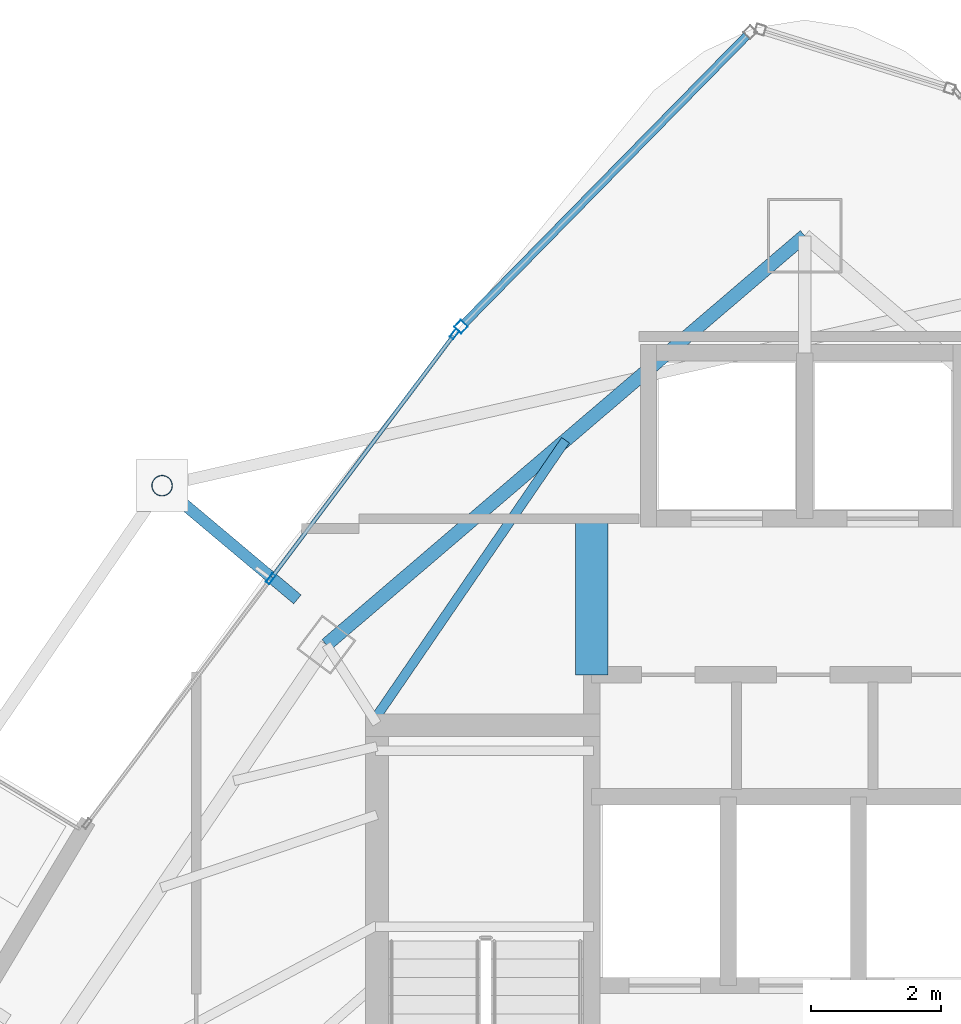
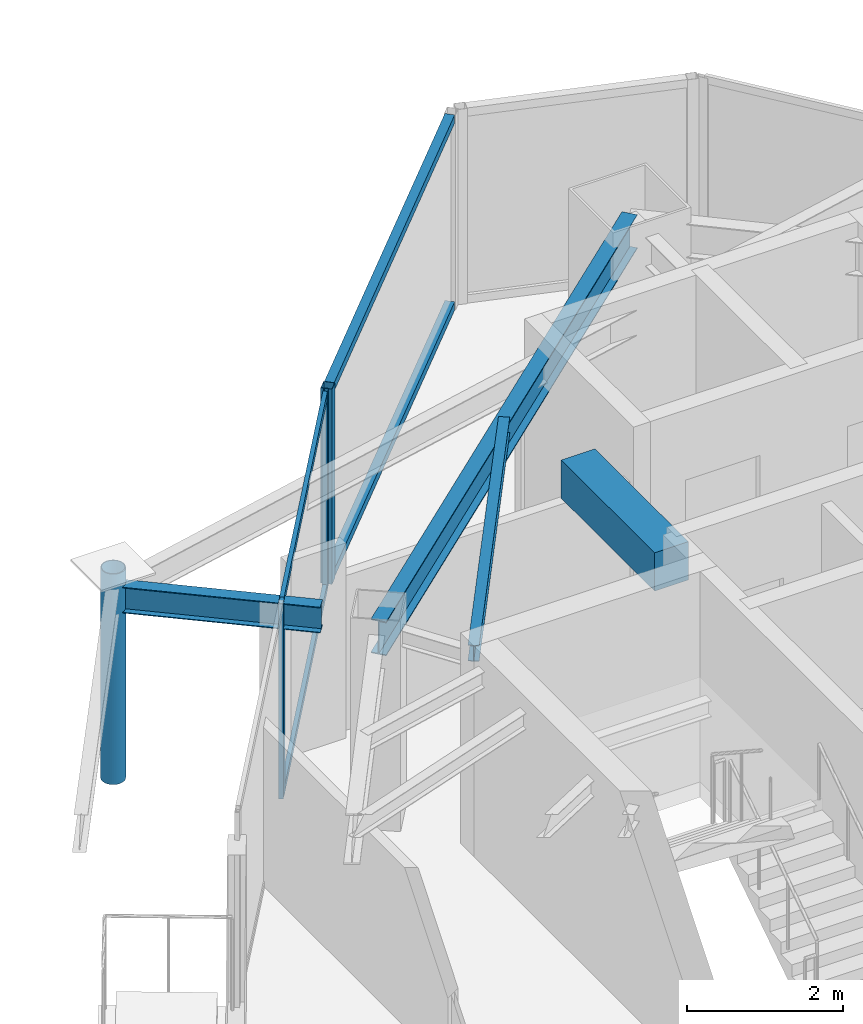
# One storey, part 20 of 28: 8 members, 4 beams, 2 elements without a shape of their own.
"""IFC4 building model written with IfcOpenShell, lengths in metres."""

from ifc_helpers import new_model, si_unit, direction, frame, origin, origin_2d, place, context, subcontext, project, spatial, rectangle, hollow_rectangle, hollow_circle, i_section, extrude, material, layer, layer_set, material_profile, profile_set, type_object, element, aggregate, save


model = new_model("IFC4")

# Units and contexts
model_context = context("Model", 3, precision=1e-05, world=origin(), true_north=direction((0.0, 1.0)))
body_context = subcontext(model_context, "Body", "Model", "MODEL_VIEW")
ifc_project = project(units=[si_unit("LENGTHUNIT", "METRE"), si_unit("AREAUNIT", "SQUARE_METRE"), si_unit("VOLUMEUNIT", "CUBIC_METRE"), si_unit("PLANEANGLEUNIT", "RADIAN"), si_unit("MASSUNIT", "GRAM", prefix="KILO")], contexts=[model_context])

# Site, building, storey
site_placement = place(None, origin())
site = spatial("IfcSite", under=ifc_project, at=site_placement, CompositionType="ELEMENT")
building_placement = place(site_placement, origin())
building = spatial("IfcBuilding", under=site, at=building_placement, Name="Orvanel Arch Residences", CompositionType="ELEMENT")
storey_placement = place(building_placement, frame((0.0, 0.0, 266.75)))
storey = spatial("IfcBuildingStorey", under=building, at=storey_placement, Name="L76", CompositionType="ELEMENT", Elevation=266.75)

# Beams
ifc_material_1 = material(Name="Structural steel AS/NZS 3679.1 Grade 300 (300 MPa)", Category="steel")
ifc_material_profile_1 = material_profile(ifc_material_1, i_section(OverallWidth=0.14599609375, OverallDepth=0.251953125, WebThickness=0.006103515625, FlangeThickness=0.008544921875, at=origin_2d()), Name="250UB31.4")
ifc_profile_set_1 = profile_set([ifc_material_profile_1], Name="Structural steel AS/NZS 3679.1 Grade 300 (300 MPa)")
beam_type_1 = type_object("IfcBeamType", Name="BJ-250UB", PredefinedType="JOIST", material=ifc_profile_set_1)
beam_1_placement = place(storey_placement, frame((26.425048828125, 34.02001953125, 2.93408203125), z_axis=(0.564868085352, 0.825181220188, 0.0), x_axis=(-0.825181220188, 0.564868085352, 0.0)))
element("IfcBeam", 1, at=beam_1_placement, inside=storey, type_object=beam_type_1, Name="L76 NNW2 Wing Floor Joist", PredefinedType="JOIST", context=body_context, shape_type="SweptSolid", body=[
    extrude(i_section(OverallWidth=0.14599609375, OverallDepth=0.251953125, WebThickness=0.006103515625, FlangeThickness=0.008544921875, at=origin_2d()), origin(), (0.0, 0.0, 1.0), 5.132080078125),
])
ifc_material_2 = material(Name="Concrete S65 (65 MPa)", Category="concrete")
ifc_material_profile_2 = material_profile(ifc_material_2, rectangle(XDim=0.5, YDim=0.60009765625, at=origin_2d()), Name="RC500x600")
ifc_profile_set_2 = profile_set([ifc_material_profile_2], Name="Concrete S65 (65 MPa)")
beam_type_2 = type_object("IfcBeamType", Name="CB-500x600", PredefinedType="LINTEL", material=ifc_profile_set_2)
beam_2_placement = place(storey_placement, frame((29.72509765625, 34.64990234375, 2.760009765625), z_axis=(0.0, 1.0, 0.0), x_axis=(-1.0, 0.0, 0.0)))
element("IfcBeam", 2, at=beam_2_placement, inside=storey, type_object=beam_type_2, Name="L76 West Core Lobby Coupling Lintel Beam", PredefinedType="LINTEL", context=body_context, shape_type="SweptSolid", body=[
    extrude(rectangle(XDim=0.5, YDim=0.60009765625, at=origin_2d()), origin(), (0.0, 0.0, 1.0), 2.400146484375),
])

# Curtain wall, member
ifc_material_3 = material(Name="Bronze-anodised aluminium AA6063-T6", Category="aluminium")
ifc_layer_1 = layer(ifc_material_3, 0.18994140625)
ifc_layer_set_1 = layer_set([ifc_layer_1], Name="Bronze-anodised aluminium AA6063-T6")
curtain_wall_type_1 = type_object("IfcCurtainWallType", Name="CW5-CRN-SYS", PredefinedType="NOTDEFINED", material=ifc_layer_set_1)
curtain_wall_1_placement = place(storey_placement, origin())
curtain_wall_1 = element("IfcCurtainWall", 3, at=curtain_wall_1_placement, inside=storey, type_object=curtain_wall_type_1, Name="L76 CW5-CRN-SYS Unitised Curtain Wall", PredefinedType="NOTDEFINED")
ifc_material_profile_3 = material_profile(ifc_material_3, hollow_rectangle(XDim=0.14990234375, YDim=0.14990234375, WallThickness=0.0048828125, at=origin_2d()), Name="ALU150x150x5")
ifc_profile_set_3 = profile_set([ifc_material_profile_3], Name="Bronze-anodised aluminium AA6063-T6")
member_type_1 = type_object("IfcMemberType", Name="MUL-150x150", PredefinedType="MULLION", material=ifc_profile_set_3)
member_1_placement = place(storey_placement, frame((27.716552734375, 39.99853515625, 0.0), z_axis=(0.0, 0.0, 1.0), x_axis=(0.713621357138, -0.700531625722, 0.0)))
member_1 = element("IfcMember", 4, at=member_1_placement, type_object=member_type_1, Name="CW-S5 mullion 2", PredefinedType="MULLION", context=body_context, shape_type="SweptSolid", body=[
    extrude(hollow_rectangle(XDim=0.14990234375, YDim=0.14990234375, WallThickness=0.0048828125, at=origin_2d()), origin(), (0.0, 0.0, 1.0), 3.06005859375),
])

# Curtain wall, members
ifc_layer_2 = layer(ifc_material_3, 0.175048828125)
ifc_layer_set_2 = layer_set([ifc_layer_2], Name="Bronze-anodised aluminium AA6063-T6")
curtain_wall_type_2 = type_object("IfcCurtainWallType", Name="CW4-HI-SYS", PredefinedType="NOTDEFINED", material=ifc_layer_set_2)
curtain_wall_2_placement = place(storey_placement, origin())
curtain_wall_2 = element("IfcCurtainWall", 5, at=curtain_wall_2_placement, inside=storey, type_object=curtain_wall_type_2, Name="L76 CW4-HI-SYS Unitised Curtain Wall", PredefinedType="NOTDEFINED")
ifc_material_profile_4 = material_profile(ifc_material_3, hollow_rectangle(XDim=0.06494140625, YDim=0.159912109375, WallThickness=0.00390625, at=origin_2d()), Name="ALU160x65x4")
ifc_profile_set_4 = profile_set([ifc_material_profile_4], Name="Bronze-anodised aluminium AA6063-T6")
member_type_2 = type_object("IfcMemberType", Name="MUL-160x65", PredefinedType="MULLION", material=ifc_profile_set_4)
member_2_placement = place(storey_placement, frame((27.618408203125, 39.888916015625, 0.0), z_axis=(0.0, 0.0, 1.0), x_axis=(0.799771978749, -0.60030390804, 0.0)))
member_2 = element("IfcMember", 6, at=member_2_placement, type_object=member_type_2, Name="CW-S4 mullion 1", PredefinedType="MULLION", context=body_context, shape_type="SweptSolid", body=[
    extrude(hollow_rectangle(XDim=0.06494140625, YDim=0.159912109375, WallThickness=0.00390625, at=origin_2d()), origin(), (0.0, 0.0, 1.0), 3.06005859375),
])
member_3_placement = place(storey_placement, frame((24.7939453125, 36.1259765625, 0.0), z_axis=(0.0, 0.0, 1.0), x_axis=(0.799771978749, -0.60030390804, 0.0)))
member_3 = element("IfcMember", 7, at=member_3_placement, type_object=member_type_2, Name="CW-S4 mullion 2", PredefinedType="MULLION", context=body_context, shape_type="SweptSolid", body=[
    extrude(hollow_rectangle(XDim=0.06494140625, YDim=0.159912109375, WallThickness=0.00390625, at=origin_2d()), origin(), (0.0, 0.0, 1.0), 3.06005859375),
])

# Beams
ifc_material_profile_5 = material_profile(ifc_material_1, i_section(OverallWidth=0.177978515625, OverallDepth=0.406005859375, WebThickness=0.0078125, FlangeThickness=0.0126953125, at=origin_2d()), Name="410UB59.7")
ifc_profile_set_5 = profile_set([ifc_material_profile_5], Name="Structural steel AS/NZS 3679.1 Grade 300 (300 MPa)")
beam_type_3 = type_object("IfcBeamType", Name="OB-410UB-EXT", PredefinedType="SPANDREL", material=ifc_profile_set_5)
beam_3_placement = place(storey_placement, frame((25.202880859375, 35.80908203125, 2.85693359375), z_axis=(-0.765570301618, 0.643352246658, 0.0), x_axis=(-0.643352246658, -0.765570301618, 0.0)))
element("IfcBeam", 8, at=beam_3_placement, inside=storey, type_object=beam_type_3, Name="L76 Outer Frame Radial Tie Beam 01", PredefinedType="SPANDREL", context=body_context, shape_type="SweptSolid", body=[
    extrude(i_section(OverallWidth=0.177978515625, OverallDepth=0.406005859375, WebThickness=0.0078125, FlangeThickness=0.0126953125, at=origin_2d()), origin(), (0.0, 0.0, 1.0), 2.716796875),
])
ifc_material_profile_6 = material_profile(ifc_material_1, i_section(OverallWidth=0.208984375, OverallDepth=0.532958984375, WebThickness=0.01025390625, FlangeThickness=0.015625, at=origin_2d()), Name="530UB92.4")
ifc_profile_set_6 = profile_set([ifc_material_profile_6], Name="Structural steel AS/NZS 3679.1 Grade 300 (300 MPa)")
beam_type_4 = type_object("IfcBeamType", Name="SP-530UB", PredefinedType="SPANDREL", material=ifc_profile_set_6)
beam_4_placement = place(storey_placement, frame((33.0, 41.39794921875, 2.79296875), z_axis=(-0.760116518398, -0.649786794617, 0.0), x_axis=(0.649786794617, -0.760116518398, 0.0)))
element("IfcBeam", 9, at=beam_4_placement, inside=storey, type_object=beam_type_4, Name="L76 Perimeter Spandrel Beam 10", PredefinedType="SPANDREL", context=body_context, shape_type="SweptSolid", body=[
    extrude(i_section(OverallWidth=0.208984375, OverallDepth=0.532958984375, WebThickness=0.01025390625, FlangeThickness=0.015625, at=origin_2d()), origin(), (0.0, 0.0, 1.0), 9.67236328125),
])

# Member
ifc_material_4 = material(Name="Structural steel AS/NZS 1163 C350L0 (Grade 350)", Category="steel")
ifc_material_profile_7 = material_profile(ifc_material_4, hollow_circle(Radius=0.162109375, WallThickness=0.0126953125, at=origin_2d()), Name="CHS324x12.7")
ifc_profile_set_7 = profile_set([ifc_material_profile_7], Name="Structural steel AS/NZS 1163 C350L0 (Grade 350)")
member_type_3 = type_object("IfcMemberType", Name="ST-324CHS-EXT", PredefinedType="STRUT", material=ifc_profile_set_7)
member_4_placement = place(storey_placement, frame((23.123046875, 37.556884765625, 0.0), z_axis=(0.0, 0.0, 1.0), x_axis=(1.0, 0.0, 0.0)))
element("IfcMember", 10, at=member_4_placement, inside=storey, type_object=member_type_3, Name="L76 Outer Perimeter Frame Post 01", PredefinedType="STRUT", context=body_context, shape_type="SweptSolid", body=[
    extrude(hollow_circle(Radius=0.162109375, WallThickness=0.0126953125, at=origin_2d()), origin(), (0.0, 0.0, 1.0), 3.300048828125),
])

ifc_material_profile_8 = material_profile(ifc_material_3, hollow_rectangle(XDim=0.06005859375, YDim=0.1201171875, WallThickness=0.00341796875, at=origin_2d()), Name="ALU120x60x3.5")
ifc_profile_set_8 = profile_set([ifc_material_profile_8], Name="Bronze-anodised aluminium AA6063-T6")
member_type_4 = type_object("IfcMemberType", Name="TRN-120x60", PredefinedType="USERDEFINED", material=ifc_profile_set_8)
member_5_placement = place(storey_placement, frame((27.598876953125, 39.863037109375, 0.030029296875), z_axis=(-0.600303028681, -0.79977263879, 0.0), x_axis=(0.79977263879, -0.600303028681, 0.0)))
member_5 = element("IfcMember", 11, at=member_5_placement, type_object=member_type_4, Name="CW-S4 transom 1.1", ObjectType="TRANSOM", PredefinedType="USERDEFINED", context=body_context, shape_type="SweptSolid", body=[
    extrude(hollow_rectangle(XDim=0.06005859375, YDim=0.1201171875, WallThickness=0.00341796875, at=origin_2d()), origin(), (0.0, 0.0, 1.0), 4.639892578125),
])

member_6_placement = place(storey_placement, frame((27.598876953125, 39.863037109375, 3.030029296875), z_axis=(-0.600303028681, -0.79977263879, 0.0), x_axis=(0.79977263879, -0.600303028681, 0.0)))
member_6 = element("IfcMember", 12, at=member_6_placement, type_object=member_type_4, Name="CW-S4 transom 1.2", ObjectType="TRANSOM", PredefinedType="USERDEFINED", context=body_context, shape_type="SweptSolid", body=[
    extrude(hollow_rectangle(XDim=0.06005859375, YDim=0.1201171875, WallThickness=0.00341796875, at=origin_2d()), origin(), (0.0, 0.0, 1.0), 4.639892578125),
])

aggregate(curtain_wall_2, [member_2, member_3, member_5, member_6])

ifc_material_profile_9 = material_profile(ifc_material_3, hollow_rectangle(XDim=0.1298828125, YDim=0.1298828125, WallThickness=0.00439453125, at=origin_2d()), Name="ALU130x130x4.5")
ifc_profile_set_9 = profile_set([ifc_material_profile_9], Name="Bronze-anodised aluminium AA6063-T6")
member_type_5 = type_object("IfcMemberType", Name="TRN-130x130", PredefinedType="USERDEFINED", material=ifc_profile_set_9)
member_7_placement = place(storey_placement, frame((32.10791015625, 44.471923828125, 0.06494140625), z_axis=(-0.700533150529, -0.713619860296, 0.0), x_axis=(0.713619860296, -0.700533150529, 0.0)))
member_7 = element("IfcMember", 13, at=member_7_placement, type_object=member_type_5, Name="CW-S5 transom 1.1", ObjectType="TRANSOM", PredefinedType="USERDEFINED", context=body_context, shape_type="SweptSolid", body=[
    extrude(hollow_rectangle(XDim=0.1298828125, YDim=0.1298828125, WallThickness=0.00439453125, at=origin_2d()), origin(), (0.0, 0.0, 1.0), 6.193603515625),
])

member_8_placement = place(storey_placement, frame((32.10791015625, 44.471923828125, 2.9951171875), z_axis=(-0.700533150529, -0.713619860296, 0.0), x_axis=(0.713619860296, -0.700533150529, 0.0)))
member_8 = element("IfcMember", 14, at=member_8_placement, type_object=member_type_5, Name="CW-S5 transom 1.2", ObjectType="TRANSOM", PredefinedType="USERDEFINED", context=body_context, shape_type="SweptSolid", body=[
    extrude(hollow_rectangle(XDim=0.1298828125, YDim=0.1298828125, WallThickness=0.00439453125, at=origin_2d()), origin(), (0.0, 0.0, 1.0), 6.193603515625),
])

aggregate(curtain_wall_1, [member_1, member_7, member_8])

save(model, "model.ifc")
